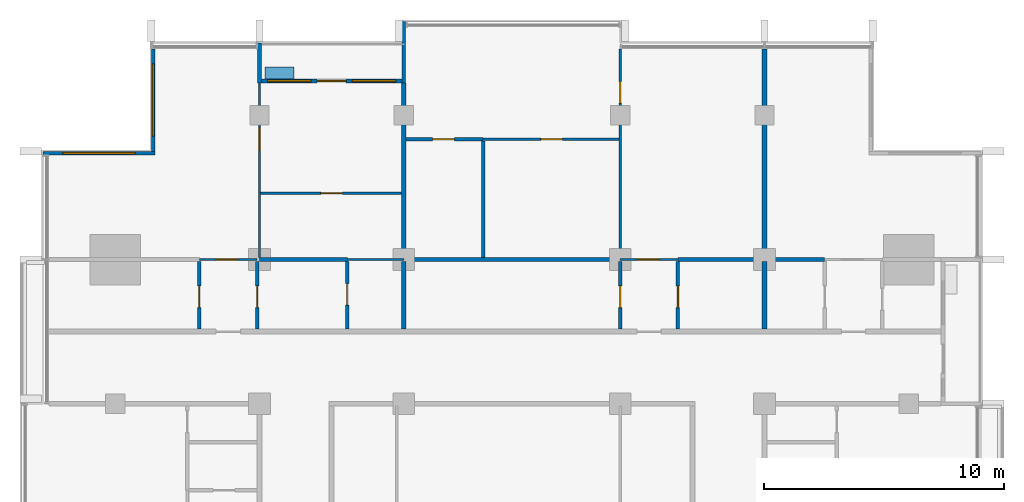
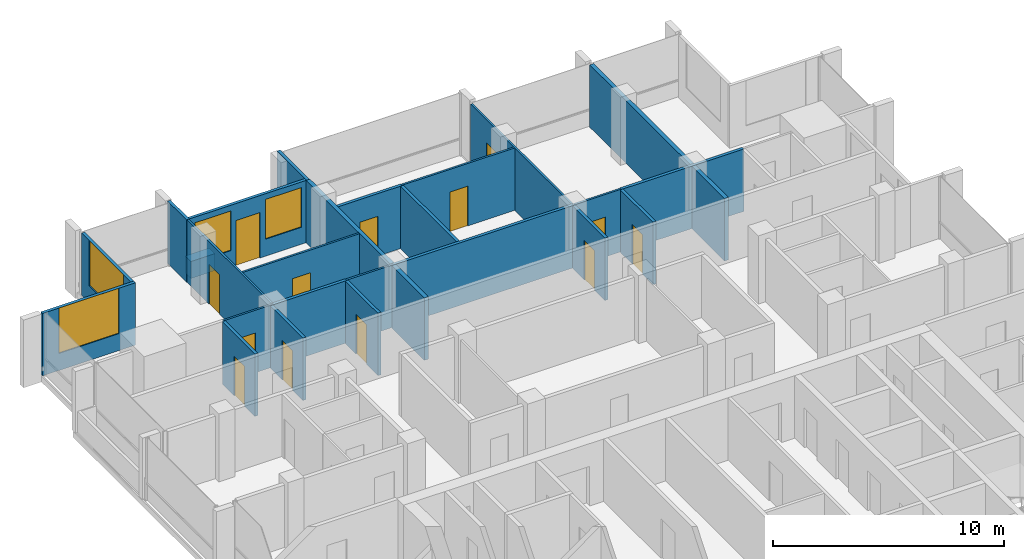
# One storey, part 10 of 16: 27 walls, 13 doors, 4 windows, 17 openings.
"""IFC4 building model written with IfcOpenShell, lengths in metres."""

from ifc_helpers import new_model, si_unit, direction, frame, frame_2d, origin, place, context, subcontext, project, spatial, rectangle, extrude, material, layer, layer_set, type_object, element, fill, save


model = new_model("IFC4")

# Units and contexts
model_context = context("Model", 3, precision=1e-05, world=origin(), true_north=direction((0.0, 1.0)))
body_context = subcontext(model_context, "Body", "Model", "MODEL_VIEW")
ifc_project = project(units=[si_unit("LENGTHUNIT", "METRE"), si_unit("AREAUNIT", "SQUARE_METRE"), si_unit("VOLUMEUNIT", "CUBIC_METRE"), si_unit("PLANEANGLEUNIT", "RADIAN"), si_unit("MASSUNIT", "GRAM", prefix="KILO")], contexts=[model_context])

# Site, building, storey
site_placement = place(None, origin())
site = spatial("IfcSite", under=ifc_project, at=site_placement, CompositionType="ELEMENT")
building_placement = place(site_placement, origin())
building = spatial("IfcBuilding", under=site, at=building_placement, Name="Finial Court Residences", CompositionType="ELEMENT")
storey_placement = place(building_placement, frame((0.0, 0.0, 237.5)))
storey = spatial("IfcBuildingStorey", under=building, at=storey_placement, Name="L60", CompositionType="ELEMENT", Elevation=237.5)

# Walls
ifc_material_1 = material(Name="Gypsum board")
ifc_layer_1 = layer(ifc_material_1, 0.02490234375)
ifc_material_2 = material(Name="Acoustic mineral wool in double frame")
ifc_layer_2 = layer(ifc_material_2, 0.14990234375)
ifc_layer_3 = layer(ifc_material_1, 0.02490234375)
ifc_layer_set_1 = layer_set([ifc_layer_1, ifc_layer_2, ifc_layer_3], Name="Acoustic party wall 200, 1 hour")
wall_type_1 = type_object("IfcWallType", Name="Acoustic party wall 200, 1 hour", PredefinedType="PARTITIONING", material=ifc_layer_set_1)
wall_1_placement = place(storey_placement, frame((-4.5, 4.60009765625, 0.0), z_axis=(0.0, 0.0, 1.0), x_axis=(0.0, 1.0, 0.0)))
element("IfcWall", 1, at=wall_1_placement, inside=storey, type_object=wall_type_1, Name="Partition L60-039", PredefinedType="PARTITIONING", context=body_context, shape_type="SweptSolid", body=[
    extrude(rectangle(XDim=2.824951171875, YDim=0.199951171875, at=frame_2d((1.41259765625, 0.0))), origin(), (0.0, 0.0, 1.0), 3.300048828125),
])
wall_2_placement = place(storey_placement, frame((-4.5, 7.574951171875, 0.0), z_axis=(0.0, 0.0, 1.0), x_axis=(0.0, 1.0, 0.0)))
element("IfcWall", 2, at=wall_2_placement, inside=storey, type_object=wall_type_1, Name="Partition L60-040", PredefinedType="PARTITIONING", context=body_context, shape_type="SweptSolid", body=[
    extrude(rectangle(XDim=7.275146484375, YDim=0.199951171875, at=frame_2d((3.6376953125, 0.0))), origin(), (0.0, 0.0, 1.0), 3.300048828125),
])
wall_3_placement = place(storey_placement, frame((10.5, 4.60009765625, 0.0), z_axis=(0.0, 0.0, 1.0), x_axis=(0.0, 1.0, 0.0)))
element("IfcWall", 3, at=wall_3_placement, inside=storey, type_object=wall_type_1, Name="Partition L60-048", PredefinedType="PARTITIONING", context=body_context, shape_type="SweptSolid", body=[
    extrude(rectangle(XDim=2.824951171875, YDim=0.199951171875, at=frame_2d((1.41259765625, 0.0))), origin(), (0.0, 0.0, 1.0), 3.300048828125),
])
wall_4_placement = place(storey_placement, frame((10.5, 7.574951171875, 0.0), z_axis=(0.0, 0.0, 1.0), x_axis=(0.0, 1.0, 0.0)))
element("IfcWall", 4, at=wall_4_placement, inside=storey, type_object=wall_type_1, Name="Partition L60-049", PredefinedType="PARTITIONING", context=body_context, shape_type="SweptSolid", body=[
    extrude(rectangle(XDim=8.6875, YDim=0.199951171875, at=frame_2d((4.34375, 0.0))), origin(), (0.0, 0.0, 1.0), 3.300048828125),
])

# Wall, opening, door
ifc_layer_4 = layer(ifc_material_1, 0.012451171875)
ifc_material_3 = material(Name="Mineral wool in light-gauge frame")
ifc_layer_5 = layer(ifc_material_3, 0.074951171875)
ifc_layer_6 = layer(ifc_material_1, 0.012451171875)
ifc_layer_set_2 = layer_set([ifc_layer_4, ifc_layer_5, ifc_layer_6], Name="Gypsum board partition 100")
wall_type_2 = type_object("IfcWallType", Name="Gypsum board partition 100", PredefinedType="PARTITIONING", material=ifc_layer_set_2)
wall_5_placement = place(storey_placement, frame((-13.0, 7.5, 0.0), z_axis=(0.0, 0.0, 1.0), x_axis=(1.0, 0.0, 0.0)))
wall_5 = element("IfcWall", 5, at=wall_5_placement, inside=storey, type_object=wall_type_2, Name="Partition L60-017", PredefinedType="PARTITIONING", context=body_context, shape_type="SweptSolid", body=[
    extrude(rectangle(XDim=2.39990234375, YDim=0.10009765625, at=frame_2d((1.199951171875, 0.0))), origin(), (0.0, 0.0, 1.0), 3.300048828125),
])
opening_1_placement = place(wall_5_placement, frame((0.699951171875, 0.0, 0.0)))
opening_1 = element("IfcOpeningElement", 6, at=opening_1_placement, cuts=wall_5, Name="Opening L60-D019", PredefinedType="OPENING", context=body_context, shape_type="SweptSolid", body=[
    extrude(rectangle(XDim=0.89990234375, YDim=2.10009765625, at=frame_2d((0.449951171875, 1.050048828125))), frame((0.0, 0.06005859375, 0.0), z_axis=(0.0, -1.0, 0.0), x_axis=(1.0, 0.0, 0.0)), (0.0, 0.0, 1.0), 0.1201171875),
])
ifc_material_4 = material(Name="Timber door leaf in timber frame", Category="wood")
door_type_1 = type_object("IfcDoorType", Name="Door set 900 x 2100", OperationType="SINGLE_SWING_LEFT", PredefinedType="DOOR", material=ifc_material_4)
door_1_placement = place(opening_1_placement, origin())
door_1 = element("IfcDoor", 7, at=door_1_placement, inside=storey, type_object=door_type_1, Name="Door L60-D019", OperationType="SINGLE_SWING_LEFT", OverallHeight=2.10009765625, OverallWidth=0.89990234375, PredefinedType="DOOR", context=body_context, shape_type="SweptSolid", body=[
    extrude(rectangle(XDim=0.89990234375, YDim=2.10009765625, at=frame_2d((0.449951171875, 1.050048828125))), frame((0.0, 0.02490234375, 0.0), z_axis=(0.0, -1.0, 0.0), x_axis=(1.0, 0.0, 0.0)), (0.0, 0.0, 1.0), 0.050048828125),
])
fill(opening_1, door_1)

# Wall
wall_6_placement = place(storey_placement, frame((-6.85009765625, 7.5, 0.0), z_axis=(0.0, 0.0, 1.0), x_axis=(1.0, 0.0, 0.0)))
element("IfcWall", 8, at=wall_6_placement, inside=storey, type_object=wall_type_2, Name="Partition L60-018", PredefinedType="PARTITIONING", context=body_context, shape_type="SweptSolid", body=[
    extrude(rectangle(XDim=2.35009765625, YDim=0.10009765625, at=frame_2d((1.175048828125, 0.0))), origin(), (0.0, 0.0, 1.0), 3.300048828125),
])

# Wall, opening, door
wall_7_placement = place(storey_placement, frame((4.5, 7.5, 0.0), z_axis=(0.0, 0.0, 1.0), x_axis=(1.0, 0.0, 0.0)))
wall_7 = element("IfcWall", 9, at=wall_7_placement, inside=storey, type_object=wall_type_2, Name="Partition L60-019", PredefinedType="PARTITIONING", context=body_context, shape_type="SweptSolid", body=[
    extrude(rectangle(XDim=2.39990234375, YDim=0.10009765625, at=frame_2d((1.199951171875, 0.0))), origin(), (0.0, 0.0, 1.0), 3.300048828125),
])
opening_2_placement = place(wall_7_placement, frame((0.699951171875, 0.0, 0.0)))
opening_2 = element("IfcOpeningElement", 10, at=opening_2_placement, cuts=wall_7, Name="Opening L60-D020", PredefinedType="OPENING", context=body_context, shape_type="SweptSolid", body=[
    extrude(rectangle(XDim=0.89990234375, YDim=2.10009765625, at=frame_2d((0.449951171875, 1.050048828125))), frame((0.0, 0.06005859375, 0.0), z_axis=(0.0, -1.0, 0.0), x_axis=(1.0, 0.0, 0.0)), (0.0, 0.0, 1.0), 0.1201171875),
])
door_2_placement = place(opening_2_placement, origin())
door_2 = element("IfcDoor", 11, at=door_2_placement, inside=storey, type_object=door_type_1, Name="Door L60-D020", OperationType="SINGLE_SWING_RIGHT", OverallHeight=2.10009765625, OverallWidth=0.89990234375, PredefinedType="DOOR", context=body_context, shape_type="SweptSolid", body=[
    extrude(rectangle(XDim=0.89990234375, YDim=2.10009765625, at=frame_2d((0.449951171875, 1.050048828125))), frame((0.0, 0.02490234375, 0.0), z_axis=(0.0, -1.0, 0.0), x_axis=(1.0, 0.0, 0.0)), (0.0, 0.0, 1.0), 0.050048828125),
])
fill(opening_2, door_2)

wall_8_placement = place(storey_placement, frame((-10.449951171875, 10.25, 0.0), z_axis=(0.0, 0.0, 1.0), x_axis=(1.0, 0.0, 0.0)))
wall_8 = element("IfcWall", 12, at=wall_8_placement, inside=storey, type_object=wall_type_2, Name="Partition L60-026", PredefinedType="PARTITIONING", context=body_context, shape_type="SweptSolid", body=[
    extrude(rectangle(XDim=5.849853515625, YDim=0.10009765625, at=frame_2d((2.9248046875, 0.0))), origin(), (0.0, 0.0, 1.0), 3.300048828125),
])
opening_3_placement = place(wall_8_placement, frame((2.5, 0.0, 0.0)))
opening_3 = element("IfcOpeningElement", 13, at=opening_3_placement, cuts=wall_8, Name="Opening L60-D022", PredefinedType="OPENING", context=body_context, shape_type="SweptSolid", body=[
    extrude(rectangle(XDim=0.89990234375, YDim=2.10009765625, at=frame_2d((0.449951171875, 1.050048828125))), frame((0.0, 0.06005859375, 0.0), z_axis=(0.0, -1.0, 0.0), x_axis=(1.0, 0.0, 0.0)), (0.0, 0.0, 1.0), 0.1201171875),
])
door_3_placement = place(opening_3_placement, origin())
door_3 = element("IfcDoor", 14, at=door_3_placement, inside=storey, type_object=door_type_1, Name="Door L60-D022", OperationType="SINGLE_SWING_LEFT", OverallHeight=2.10009765625, OverallWidth=0.89990234375, PredefinedType="DOOR", context=body_context, shape_type="SweptSolid", body=[
    extrude(rectangle(XDim=0.89990234375, YDim=2.10009765625, at=frame_2d((0.449951171875, 1.050048828125))), frame((0.0, 0.02490234375, 0.0), z_axis=(0.0, -1.0, 0.0), x_axis=(1.0, 0.0, 0.0)), (0.0, 0.0, 1.0), 0.050048828125),
])
fill(opening_3, door_3)

wall_9_placement = place(storey_placement, frame((-1.199951171875, 12.5, 0.0), z_axis=(0.0, 0.0, 1.0), x_axis=(1.0, 0.0, 0.0)))
wall_9 = element("IfcWall", 15, at=wall_9_placement, inside=storey, type_object=wall_type_2, Name="Partition L60-027", PredefinedType="PARTITIONING", context=body_context, shape_type="SweptSolid", body=[
    extrude(rectangle(XDim=5.64990234375, YDim=0.10009765625, at=frame_2d((2.824951171875, 0.0))), origin(), (0.0, 0.0, 1.0), 3.300048828125),
])
opening_4_placement = place(wall_9_placement, frame((2.39990234375, 0.0, 0.0)))
opening_4 = element("IfcOpeningElement", 16, at=opening_4_placement, cuts=wall_9, Name="Opening L60-D023", PredefinedType="OPENING", context=body_context, shape_type="SweptSolid", body=[
    extrude(rectangle(XDim=0.89990234375, YDim=2.10009765625, at=frame_2d((0.449951171875, 1.050048828125))), frame((0.0, 0.06005859375, 0.0), z_axis=(0.0, -1.0, 0.0), x_axis=(1.0, 0.0, 0.0)), (0.0, 0.0, 1.0), 0.1201171875),
])
door_4_placement = place(opening_4_placement, origin())
door_4 = element("IfcDoor", 17, at=door_4_placement, inside=storey, type_object=door_type_1, Name="Door L60-D023", OperationType="SINGLE_SWING_RIGHT", OverallHeight=2.10009765625, OverallWidth=0.89990234375, PredefinedType="DOOR", context=body_context, shape_type="SweptSolid", body=[
    extrude(rectangle(XDim=0.89990234375, YDim=2.10009765625, at=frame_2d((0.449951171875, 1.050048828125))), frame((0.0, 0.02490234375, 0.0), z_axis=(0.0, -1.0, 0.0), x_axis=(1.0, 0.0, 0.0)), (0.0, 0.0, 1.0), 0.050048828125),
])
fill(opening_4, door_4)

wall_10_placement = place(storey_placement, frame((-10.5, 7.574951171875, 0.0), z_axis=(0.0, 0.0, 1.0), x_axis=(0.0, 1.0, 0.0)))
wall_10 = element("IfcWall", 18, at=wall_10_placement, inside=storey, type_object=wall_type_2, Name="Partition L60-035", PredefinedType="PARTITIONING", context=body_context, shape_type="SweptSolid", body=[
    extrude(rectangle(XDim=7.275146484375, YDim=0.10009765625, at=frame_2d((3.6376953125, 0.0))), origin(), (0.0, 0.0, 1.0), 3.300048828125),
])
opening_5_placement = place(wall_10_placement, frame((4.47509765625, 0.0, 0.0)))
opening_5 = element("IfcOpeningElement", 19, at=opening_5_placement, cuts=wall_10, Name="Opening L60-D029", PredefinedType="OPENING", context=body_context, shape_type="SweptSolid", body=[
    extrude(rectangle(XDim=0.89990234375, YDim=2.10009765625, at=frame_2d((0.449951171875, 1.050048828125))), frame((0.0, 0.06005859375, 0.0), z_axis=(0.0, -1.0, 0.0), x_axis=(1.0, 0.0, 0.0)), (0.0, 0.0, 1.0), 0.1201171875),
])
door_5_placement = place(opening_5_placement, origin())
door_5 = element("IfcDoor", 20, at=door_5_placement, inside=storey, type_object=door_type_1, Name="Door L60-D029", OperationType="SINGLE_SWING_RIGHT", OverallHeight=2.10009765625, OverallWidth=0.89990234375, PredefinedType="DOOR", context=body_context, shape_type="SweptSolid", body=[
    extrude(rectangle(XDim=0.89990234375, YDim=2.10009765625, at=frame_2d((0.449951171875, 1.050048828125))), frame((0.0, 0.02490234375, 0.0), z_axis=(0.0, -1.0, 0.0), x_axis=(1.0, 0.0, 0.0)), (0.0, 0.0, 1.0), 0.050048828125),
])
fill(opening_5, door_5)

wall_11_placement = place(storey_placement, frame((4.5, 7.574951171875, 0.0), z_axis=(0.0, 0.0, 1.0), x_axis=(0.0, 1.0, 0.0)))
wall_11 = element("IfcWall", 21, at=wall_11_placement, inside=storey, type_object=wall_type_2, Name="Partition L60-043", PredefinedType="PARTITIONING", context=body_context, shape_type="SweptSolid", body=[
    extrude(rectangle(XDim=8.6875, YDim=0.10009765625, at=frame_2d((4.34375, 0.0))), origin(), (0.0, 0.0, 1.0), 3.300048828125),
])
opening_6_placement = place(wall_11_placement, frame((6.425048828125, 0.0, 0.0)))
opening_6 = element("IfcOpeningElement", 22, at=opening_6_placement, cuts=wall_11, Name="Opening L60-D031", PredefinedType="OPENING", context=body_context, shape_type="SweptSolid", body=[
    extrude(rectangle(XDim=0.89990234375, YDim=2.10009765625, at=frame_2d((0.449951171875, 1.050048828125))), frame((0.0, 0.06005859375, 0.0), z_axis=(0.0, -1.0, 0.0), x_axis=(1.0, 0.0, 0.0)), (0.0, 0.0, 1.0), 0.1201171875),
])
door_6_placement = place(opening_6_placement, origin())
door_6 = element("IfcDoor", 23, at=door_6_placement, inside=storey, type_object=door_type_1, Name="Door L60-D031", OperationType="SINGLE_SWING_LEFT", OverallHeight=2.10009765625, OverallWidth=0.89990234375, PredefinedType="DOOR", context=body_context, shape_type="SweptSolid", body=[
    extrude(rectangle(XDim=0.89990234375, YDim=2.10009765625, at=frame_2d((0.449951171875, 1.050048828125))), frame((0.0, 0.02490234375, 0.0), z_axis=(0.0, -1.0, 0.0), x_axis=(1.0, 0.0, 0.0)), (0.0, 0.0, 1.0), 0.050048828125),
])
fill(opening_6, door_6)

# Walls
ifc_material_5 = material(Name="Moisture-resistant gypsum board")
ifc_layer_7 = layer(ifc_material_5, 0.012451171875)
ifc_layer_8 = layer(ifc_material_3, 0.125)
ifc_layer_9 = layer(ifc_material_5, 0.012451171875)
ifc_layer_set_3 = layer_set([ifc_layer_7, ifc_layer_8, ifc_layer_9], Name="Gypsum board wet-area partition 150")
wall_type_3 = type_object("IfcWallType", Name="Gypsum board wet-area partition 150", PredefinedType="PARTITIONING", material=ifc_layer_set_3)
wall_12_placement = place(storey_placement, frame((-10.5, 7.5, 0.0), z_axis=(0.0, 0.0, 1.0), x_axis=(1.0, 0.0, 0.0)))
element("IfcWall", 24, at=wall_12_placement, inside=storey, type_object=wall_type_3, Name="Partition L60-022", PredefinedType="PARTITIONING", context=body_context, shape_type="SweptSolid", body=[
    extrude(rectangle(XDim=3.64990234375, YDim=0.14990234375, at=frame_2d((1.824951171875, 0.0))), origin(), (0.0, 0.0, 1.0), 3.300048828125),
])
wall_13_placement = place(storey_placement, frame((-4.5, 7.5, 0.0), z_axis=(0.0, 0.0, 1.0), x_axis=(1.0, 0.0, 0.0)))
element("IfcWall", 25, at=wall_13_placement, inside=storey, type_object=wall_type_3, Name="Partition L60-023", PredefinedType="PARTITIONING", context=body_context, shape_type="SweptSolid", body=[
    extrude(rectangle(XDim=9.0, YDim=0.14990234375, at=frame_2d((4.5, 0.0))), origin(), (0.0, 0.0, 1.0), 3.300048828125),
])
wall_14_placement = place(storey_placement, frame((6.89990234375, 7.5, 0.0), z_axis=(0.0, 0.0, 1.0), x_axis=(1.0, 0.0, 0.0)))
element("IfcWall", 26, at=wall_14_placement, inside=storey, type_object=wall_type_3, Name="Partition L60-024", PredefinedType="PARTITIONING", context=body_context, shape_type="SweptSolid", body=[
    extrude(rectangle(XDim=6.10009765625, YDim=0.14990234375, at=frame_2d((3.050048828125, 0.0))), origin(), (0.0, 0.0, 1.0), 3.300048828125),
])

# Wall, opening, door
wall_15_placement = place(storey_placement, frame((-4.39990234375, 12.5, 0.0), z_axis=(0.0, 0.0, 1.0), x_axis=(1.0, 0.0, 0.0)))
wall_15 = element("IfcWall", 27, at=wall_15_placement, inside=storey, type_object=wall_type_3, Name="Partition L60-028", PredefinedType="PARTITIONING", context=body_context, shape_type="SweptSolid", body=[
    extrude(rectangle(XDim=3.199951171875, YDim=0.14990234375, at=frame_2d((1.60009765625, 0.0))), origin(), (0.0, 0.0, 1.0), 3.300048828125),
])
opening_7_placement = place(wall_15_placement, frame((1.10009765625, 0.0, 0.0)))
opening_7 = element("IfcOpeningElement", 28, at=opening_7_placement, cuts=wall_15, Name="Opening L60-D024", PredefinedType="OPENING", context=body_context, shape_type="SweptSolid", body=[
    extrude(rectangle(XDim=0.89990234375, YDim=2.10009765625, at=frame_2d((0.449951171875, 1.050048828125))), frame((0.0, 0.0849609375, 0.0), z_axis=(0.0, -1.0, 0.0), x_axis=(1.0, 0.0, 0.0)), (0.0, 0.0, 1.0), 0.169921875),
])
door_7_placement = place(opening_7_placement, origin())
door_7 = element("IfcDoor", 29, at=door_7_placement, inside=storey, type_object=door_type_1, Name="Door L60-D024", OperationType="SINGLE_SWING_LEFT", OverallHeight=2.10009765625, OverallWidth=0.89990234375, PredefinedType="DOOR", context=body_context, shape_type="SweptSolid", body=[
    extrude(rectangle(XDim=0.89990234375, YDim=2.10009765625, at=frame_2d((0.449951171875, 1.050048828125))), frame((0.0, 0.02490234375, 0.0), z_axis=(0.0, -1.0, 0.0), x_axis=(1.0, 0.0, 0.0)), (0.0, 0.0, 1.0), 0.050048828125),
])
fill(opening_7, door_7)

wall_16_placement = place(storey_placement, frame((-13.0, 4.60009765625, 0.0), z_axis=(0.0, 0.0, 1.0), x_axis=(0.0, 1.0, 0.0)))
wall_16 = element("IfcWall", 30, at=wall_16_placement, inside=storey, type_object=wall_type_3, Name="Partition L60-032", PredefinedType="PARTITIONING", context=body_context, shape_type="SweptSolid", body=[
    extrude(rectangle(XDim=2.824951171875, YDim=0.14990234375, at=frame_2d((1.41259765625, 0.0))), origin(), (0.0, 0.0, 1.0), 3.300048828125),
])
opening_8_placement = place(wall_16_placement, frame((0.89990234375, 0.0, 0.0)))
opening_8 = element("IfcOpeningElement", 31, at=opening_8_placement, cuts=wall_16, Name="Opening L60-D027", PredefinedType="OPENING", context=body_context, shape_type="SweptSolid", body=[
    extrude(rectangle(XDim=0.89990234375, YDim=2.10009765625, at=frame_2d((0.449951171875, 1.050048828125))), frame((0.0, 0.0849609375, 0.0), z_axis=(0.0, -1.0, 0.0), x_axis=(1.0, 0.0, 0.0)), (0.0, 0.0, 1.0), 0.169921875),
])
door_8_placement = place(opening_8_placement, origin())
door_8 = element("IfcDoor", 32, at=door_8_placement, inside=storey, type_object=door_type_1, Name="Door L60-D027", OperationType="SINGLE_SWING_LEFT", OverallHeight=2.10009765625, OverallWidth=0.89990234375, PredefinedType="DOOR", context=body_context, shape_type="SweptSolid", body=[
    extrude(rectangle(XDim=0.89990234375, YDim=2.10009765625, at=frame_2d((0.449951171875, 1.050048828125))), frame((0.0, 0.02490234375, 0.0), z_axis=(0.0, -1.0, 0.0), x_axis=(1.0, 0.0, 0.0)), (0.0, 0.0, 1.0), 0.050048828125),
])
fill(opening_8, door_8)

wall_17_placement = place(storey_placement, frame((-10.60009765625, 4.60009765625, 0.0), z_axis=(0.0, 0.0, 1.0), x_axis=(0.0, 1.0, 0.0)))
wall_17 = element("IfcWall", 33, at=wall_17_placement, inside=storey, type_object=wall_type_3, Name="Partition L60-033", PredefinedType="PARTITIONING", context=body_context, shape_type="SweptSolid", body=[
    extrude(rectangle(XDim=2.824951171875, YDim=0.14990234375, at=frame_2d((1.41259765625, 0.0))), origin(), (0.0, 0.0, 1.0), 3.300048828125),
])
opening_9_placement = place(wall_17_placement, frame((0.89990234375, 0.0, 0.0)))
opening_9 = element("IfcOpeningElement", 34, at=opening_9_placement, cuts=wall_17, Name="Opening L60-D028", PredefinedType="OPENING", context=body_context, shape_type="SweptSolid", body=[
    extrude(rectangle(XDim=0.89990234375, YDim=2.10009765625, at=frame_2d((0.449951171875, 1.050048828125))), frame((0.0, 0.0849609375, 0.0), z_axis=(0.0, -1.0, 0.0), x_axis=(1.0, 0.0, 0.0)), (0.0, 0.0, 1.0), 0.169921875),
])
door_9_placement = place(opening_9_placement, origin())
door_9 = element("IfcDoor", 35, at=door_9_placement, inside=storey, type_object=door_type_1, Name="Door L60-D028", OperationType="SINGLE_SWING_LEFT", OverallHeight=2.10009765625, OverallWidth=0.89990234375, PredefinedType="DOOR", context=body_context, shape_type="SweptSolid", body=[
    extrude(rectangle(XDim=0.89990234375, YDim=2.10009765625, at=frame_2d((0.449951171875, 1.050048828125))), frame((0.0, 0.02490234375, 0.0), z_axis=(0.0, -1.0, 0.0), x_axis=(1.0, 0.0, 0.0)), (0.0, 0.0, 1.0), 0.050048828125),
])
fill(opening_9, door_9)

wall_18_placement = place(storey_placement, frame((-6.85009765625, 4.60009765625, 0.0), z_axis=(0.0, 0.0, 1.0), x_axis=(0.0, 1.0, 0.0)))
wall_18 = element("IfcWall", 36, at=wall_18_placement, inside=storey, type_object=wall_type_3, Name="Partition L60-037", PredefinedType="PARTITIONING", context=body_context, shape_type="SweptSolid", body=[
    extrude(rectangle(XDim=2.824951171875, YDim=0.14990234375, at=frame_2d((1.41259765625, 0.0))), origin(), (0.0, 0.0, 1.0), 3.300048828125),
])
opening_10_placement = place(wall_18_placement, frame((1.0, 0.0, 0.0)))
opening_10 = element("IfcOpeningElement", 37, at=opening_10_placement, cuts=wall_18, Name="Opening L60-D030", PredefinedType="OPENING", context=body_context, shape_type="SweptSolid", body=[
    extrude(rectangle(XDim=0.89990234375, YDim=2.10009765625, at=frame_2d((0.449951171875, 1.050048828125))), frame((0.0, 0.0849609375, 0.0), z_axis=(0.0, -1.0, 0.0), x_axis=(1.0, 0.0, 0.0)), (0.0, 0.0, 1.0), 0.169921875),
])
door_10_placement = place(opening_10_placement, origin())
door_10 = element("IfcDoor", 38, at=door_10_placement, inside=storey, type_object=door_type_1, Name="Door L60-D030", OperationType="SINGLE_SWING_LEFT", OverallHeight=2.10009765625, OverallWidth=0.89990234375, PredefinedType="DOOR", context=body_context, shape_type="SweptSolid", body=[
    extrude(rectangle(XDim=0.89990234375, YDim=2.10009765625, at=frame_2d((0.449951171875, 1.050048828125))), frame((0.0, 0.02490234375, 0.0), z_axis=(0.0, -1.0, 0.0), x_axis=(1.0, 0.0, 0.0)), (0.0, 0.0, 1.0), 0.050048828125),
])
fill(opening_10, door_10)

# Wall
wall_19_placement = place(storey_placement, frame((-1.199951171875, 7.574951171875, 0.0), z_axis=(0.0, 0.0, 1.0), x_axis=(0.0, 1.0, 0.0)))
element("IfcWall", 39, at=wall_19_placement, inside=storey, type_object=wall_type_3, Name="Partition L60-041", PredefinedType="PARTITIONING", context=body_context, shape_type="SweptSolid", body=[
    extrude(rectangle(XDim=4.85009765625, YDim=0.14990234375, at=frame_2d((2.425048828125, 0.0))), origin(), (0.0, 0.0, 1.0), 3.300048828125),
])

# Wall, opening, door
wall_20_placement = place(storey_placement, frame((4.5, 4.60009765625, 0.0), z_axis=(0.0, 0.0, 1.0), x_axis=(0.0, 1.0, 0.0)))
wall_20 = element("IfcWall", 40, at=wall_20_placement, inside=storey, type_object=wall_type_3, Name="Partition L60-044", PredefinedType="PARTITIONING", context=body_context, shape_type="SweptSolid", body=[
    extrude(rectangle(XDim=2.824951171875, YDim=0.14990234375, at=frame_2d((1.41259765625, 0.0))), origin(), (0.0, 0.0, 1.0), 3.300048828125),
])
opening_11_placement = place(wall_20_placement, frame((0.89990234375, 0.0, 0.0)))
opening_11 = element("IfcOpeningElement", 41, at=opening_11_placement, cuts=wall_20, Name="Opening L60-D032", PredefinedType="OPENING", context=body_context, shape_type="SweptSolid", body=[
    extrude(rectangle(XDim=0.89990234375, YDim=2.10009765625, at=frame_2d((0.449951171875, 1.050048828125))), frame((0.0, 0.0849609375, 0.0), z_axis=(0.0, -1.0, 0.0), x_axis=(1.0, 0.0, 0.0)), (0.0, 0.0, 1.0), 0.169921875),
])
door_11_placement = place(opening_11_placement, origin())
door_11 = element("IfcDoor", 42, at=door_11_placement, inside=storey, type_object=door_type_1, Name="Door L60-D032", OperationType="SINGLE_SWING_RIGHT", OverallHeight=2.10009765625, OverallWidth=0.89990234375, PredefinedType="DOOR", context=body_context, shape_type="SweptSolid", body=[
    extrude(rectangle(XDim=0.89990234375, YDim=2.10009765625, at=frame_2d((0.449951171875, 1.050048828125))), frame((0.0, 0.02490234375, 0.0), z_axis=(0.0, -1.0, 0.0), x_axis=(1.0, 0.0, 0.0)), (0.0, 0.0, 1.0), 0.050048828125),
])
fill(opening_11, door_11)

wall_21_placement = place(storey_placement, frame((6.89990234375, 4.60009765625, 0.0), z_axis=(0.0, 0.0, 1.0), x_axis=(0.0, 1.0, 0.0)))
wall_21 = element("IfcWall", 43, at=wall_21_placement, inside=storey, type_object=wall_type_3, Name="Partition L60-045", PredefinedType="PARTITIONING", context=body_context, shape_type="SweptSolid", body=[
    extrude(rectangle(XDim=2.824951171875, YDim=0.14990234375, at=frame_2d((1.41259765625, 0.0))), origin(), (0.0, 0.0, 1.0), 3.300048828125),
])
opening_12_placement = place(wall_21_placement, frame((0.89990234375, 0.0, 0.0)))
opening_12 = element("IfcOpeningElement", 44, at=opening_12_placement, cuts=wall_21, Name="Opening L60-D033", PredefinedType="OPENING", context=body_context, shape_type="SweptSolid", body=[
    extrude(rectangle(XDim=0.89990234375, YDim=2.10009765625, at=frame_2d((0.449951171875, 1.050048828125))), frame((0.0, 0.0849609375, 0.0), z_axis=(0.0, -1.0, 0.0), x_axis=(1.0, 0.0, 0.0)), (0.0, 0.0, 1.0), 0.169921875),
])
door_12_placement = place(opening_12_placement, origin())
door_12 = element("IfcDoor", 45, at=door_12_placement, inside=storey, type_object=door_type_1, Name="Door L60-D033", OperationType="SINGLE_SWING_RIGHT", OverallHeight=2.10009765625, OverallWidth=0.89990234375, PredefinedType="DOOR", context=body_context, shape_type="SweptSolid", body=[
    extrude(rectangle(XDim=0.89990234375, YDim=2.10009765625, at=frame_2d((0.449951171875, 1.050048828125))), frame((0.0, 0.02490234375, 0.0), z_axis=(0.0, -1.0, 0.0), x_axis=(1.0, 0.0, 0.0)), (0.0, 0.0, 1.0), 0.050048828125),
])
fill(opening_12, door_12)

# Wall, opening, window
ifc_material_6 = material(Name="Natural limestone", Category="masonry")
ifc_layer_10 = layer(ifc_material_6, 0.14990234375)
ifc_layer_set_4 = layer_set([ifc_layer_10], Name="Limestone clad wall 150")
wall_type_4 = type_object("IfcWallType", Name="Limestone clad wall 150", PredefinedType="SOLIDWALL", material=ifc_layer_set_4)
wall_22_placement = place(storey_placement, frame((-14.925048828125, 12.0, 0.0), z_axis=(0.0, 0.0, 1.0), x_axis=(0.0, 1.0, 0.0)))
wall_22 = element("IfcWall", 46, at=wall_22_placement, inside=storey, type_object=wall_type_4, Name="E-L60-NWW17", PredefinedType="SOLIDWALL", context=body_context, shape_type="SweptSolid", body=[
    extrude(rectangle(XDim=4.262451171875, YDim=0.14990234375, at=frame_2d((2.13134765625, 0.0))), origin(), (0.0, 0.0, 1.0), 3.300048828125),
])
opening_13_placement = place(wall_22_placement, frame((0.631103515625, 0.0, 0.89990234375)))
opening_13 = element("IfcOpeningElement", 47, at=opening_13_placement, cuts=wall_22, Name="Opening WE60-05", PredefinedType="OPENING", context=body_context, shape_type="SweptSolid", body=[
    extrude(rectangle(XDim=3.0, YDim=2.39990234375, at=frame_2d((1.5, 1.199951171875))), frame((0.0, 0.0849609375, 0.0), z_axis=(0.0, -1.0, 0.0), x_axis=(1.0, 0.0, 0.0)), (0.0, 0.0, 1.0), 0.169921875),
])
ifc_material_7 = material(Name="Clear low-e glass", Category="glass")
window_type_1 = type_object("IfcWindowType", Name="Corner window 3000 x 2400", PartitioningType="SINGLE_PANEL", PredefinedType="WINDOW", material=ifc_material_7)
window_1_placement = place(opening_13_placement, origin())
window_1 = element("IfcWindow", 48, at=window_1_placement, inside=storey, type_object=window_type_1, Name="E-L60-NWW17-W1", OverallHeight=2.39990234375, OverallWidth=3.0, PartitioningType="SINGLE_PANEL", PredefinedType="WINDOW", context=body_context, shape_type="SweptSolid", body=[
    extrude(rectangle(XDim=3.0, YDim=2.39990234375, at=frame_2d((1.5, 1.199951171875))), frame((0.0, 0.030029296875, 0.0), z_axis=(0.0, -1.0, 0.0), x_axis=(1.0, 0.0, 0.0)), (0.0, 0.0, 1.0), 0.06005859375),
])
fill(opening_13, window_1)

wall_23_placement = place(storey_placement, frame((-19.5, 11.925048828125, 0.0), z_axis=(0.0, 0.0, 1.0), x_axis=(1.0, 0.0, 0.0)))
wall_23 = element("IfcWall", 49, at=wall_23_placement, inside=storey, type_object=wall_type_4, Name="E-L60-NWN18", PredefinedType="SOLIDWALL", context=body_context, shape_type="SweptSolid", body=[
    extrude(rectangle(XDim=4.64990234375, YDim=0.14990234375, at=frame_2d((2.324951171875, 0.0))), origin(), (0.0, 0.0, 1.0), 3.300048828125),
])
opening_14_placement = place(wall_23_placement, frame((0.824951171875, 0.0, 0.89990234375)))
opening_14 = element("IfcOpeningElement", 50, at=opening_14_placement, cuts=wall_23, Name="Opening WE60-06", PredefinedType="OPENING", context=body_context, shape_type="SweptSolid", body=[
    extrude(rectangle(XDim=3.0, YDim=2.39990234375, at=frame_2d((1.5, 1.199951171875))), frame((0.0, 0.0849609375, 0.0), z_axis=(0.0, -1.0, 0.0), x_axis=(1.0, 0.0, 0.0)), (0.0, 0.0, 1.0), 0.169921875),
])
window_2_placement = place(opening_14_placement, origin())
window_2 = element("IfcWindow", 51, at=window_2_placement, inside=storey, type_object=window_type_1, Name="E-L60-NWN18-W1", OverallHeight=2.39990234375, OverallWidth=3.0, PartitioningType="SINGLE_PANEL", PredefinedType="WINDOW", context=body_context, shape_type="SweptSolid", body=[
    extrude(rectangle(XDim=3.0, YDim=2.39990234375, at=frame_2d((1.5, 1.199951171875))), frame((0.0, 0.030029296875, 0.0), z_axis=(0.0, -1.0, 0.0), x_axis=(1.0, 0.0, 0.0)), (0.0, 0.0, 1.0), 0.06005859375),
])
fill(opening_14, window_2)

# Walls
wall_24_placement = place(storey_placement, frame((-10.5, 14.85009765625, 0.0), z_axis=(0.0, 0.0, 1.0), x_axis=(0.0, 1.0, 0.0)))
element("IfcWall", 52, at=wall_24_placement, inside=storey, type_object=wall_type_4, Name="E-L60-BALN2-P1", PredefinedType="SOLIDWALL", context=body_context, shape_type="SweptSolid", body=[
    extrude(rectangle(XDim=1.64990234375, YDim=0.14990234375, at=frame_2d((0.824951171875, 0.0))), origin(), (0.0, 0.0, 1.0), 3.300048828125),
])
wall_25_placement = place(storey_placement, frame((-4.5, 14.85009765625, 0.0), z_axis=(0.0, 0.0, 1.0), x_axis=(0.0, 1.0, 0.0)))
element("IfcWall", 53, at=wall_25_placement, inside=storey, type_object=wall_type_4, Name="E-L60-BALN2-P2", PredefinedType="SOLIDWALL", context=body_context, shape_type="SweptSolid", body=[
    extrude(rectangle(XDim=2.5498046875, YDim=0.14990234375, at=frame_2d((1.27490234375, 0.0))), origin(), (0.0, 0.0, 1.0), 3.300048828125),
])

# Wall, openings, door, windows
wall_26_placement = place(storey_placement, frame((-10.425048828125, 14.925048828125, 0.0), z_axis=(0.0, 0.0, 1.0), x_axis=(1.0, 0.0, 0.0)))
wall_26 = element("IfcWall", 54, at=wall_26_placement, inside=storey, type_object=wall_type_4, Name="E-L60-L60-BALN2-W", PredefinedType="SOLIDWALL", context=body_context, shape_type="SweptSolid", body=[
    extrude(rectangle(XDim=5.85009765625, YDim=0.14990234375, at=frame_2d((2.925048828125, 0.0))), origin(), (0.0, 0.0, 1.0), 3.300048828125),
])
opening_15_placement = place(wall_26_placement, frame((2.324951171875, 0.0, 0.0)))
opening_15 = element("IfcOpeningElement", 55, at=opening_15_placement, cuts=wall_26, Name="Opening DE60-01", PredefinedType="OPENING", context=body_context, shape_type="SweptSolid", body=[
    extrude(rectangle(XDim=1.199951171875, YDim=2.39990234375, at=frame_2d((0.60009765625, 1.199951171875))), frame((0.0, 0.0849609375, 0.0), z_axis=(0.0, -1.0, 0.0), x_axis=(1.0, 0.0, 0.0)), (0.0, 0.0, 1.0), 0.169921875),
])
opening_16_placement = place(wall_26_placement, frame((0.262451171875, 0.0, 0.89990234375)))
opening_16 = element("IfcOpeningElement", 56, at=opening_16_placement, cuts=wall_26, Name="Opening WE60-09", PredefinedType="OPENING", context=body_context, shape_type="SweptSolid", body=[
    extrude(rectangle(XDim=1.800048828125, YDim=2.10009765625, at=frame_2d((0.89990234375, 1.050048828125))), frame((0.0, 0.0849609375, 0.0), z_axis=(0.0, -1.0, 0.0), x_axis=(1.0, 0.0, 0.0)), (0.0, 0.0, 1.0), 0.169921875),
])
opening_17_placement = place(wall_26_placement, frame((3.78759765625, 0.0, 0.89990234375)))
opening_17 = element("IfcOpeningElement", 57, at=opening_17_placement, cuts=wall_26, Name="Opening WE60-10", PredefinedType="OPENING", context=body_context, shape_type="SweptSolid", body=[
    extrude(rectangle(XDim=1.800048828125, YDim=2.10009765625, at=frame_2d((0.89990234375, 1.050048828125))), frame((0.0, 0.0849609375, 0.0), z_axis=(0.0, -1.0, 0.0), x_axis=(1.0, 0.0, 0.0)), (0.0, 0.0, 1.0), 0.169921875),
])
ifc_material_8 = material(Name="Bronze anodised aluminium", Category="aluminium")
door_type_2 = type_object("IfcDoorType", Name="Balcony door 1200 x 2400", OperationType="SINGLE_SWING_LEFT", PredefinedType="DOOR", material=ifc_material_8)
door_13_placement = place(opening_15_placement, origin())
door_13 = element("IfcDoor", 58, at=door_13_placement, inside=storey, type_object=door_type_2, Name="E-L60-L60-BALN2-W-D", OperationType="SINGLE_SWING_RIGHT", OverallHeight=2.39990234375, OverallWidth=1.199951171875, PredefinedType="DOOR", context=body_context, shape_type="SweptSolid", body=[
    extrude(rectangle(XDim=1.199951171875, YDim=2.39990234375, at=frame_2d((0.60009765625, 1.199951171875))), frame((0.0, 0.02490234375, 0.0), z_axis=(0.0, -1.0, 0.0), x_axis=(1.0, 0.0, 0.0)), (0.0, 0.0, 1.0), 0.050048828125),
])
fill(opening_15, door_13)
window_type_2 = type_object("IfcWindowType", Name="Balcony window 1800 x 2100", PartitioningType="SINGLE_PANEL", PredefinedType="WINDOW", material=ifc_material_7)
window_3_placement = place(opening_16_placement, origin())
window_3 = element("IfcWindow", 59, at=window_3_placement, inside=storey, type_object=window_type_2, Name="E-L60-L60-BALN2-W-W1", OverallHeight=2.10009765625, OverallWidth=1.800048828125, PartitioningType="SINGLE_PANEL", PredefinedType="WINDOW", context=body_context, shape_type="SweptSolid", body=[
    extrude(rectangle(XDim=1.800048828125, YDim=2.10009765625, at=frame_2d((0.89990234375, 1.050048828125))), frame((0.0, 0.030029296875, 0.0), z_axis=(0.0, -1.0, 0.0), x_axis=(1.0, 0.0, 0.0)), (0.0, 0.0, 1.0), 0.06005859375),
])
fill(opening_16, window_3)
window_4_placement = place(opening_17_placement, origin())
window_4 = element("IfcWindow", 60, at=window_4_placement, inside=storey, type_object=window_type_2, Name="E-L60-L60-BALN2-W-W2", OverallHeight=2.10009765625, OverallWidth=1.800048828125, PartitioningType="SINGLE_PANEL", PredefinedType="WINDOW", context=body_context, shape_type="SweptSolid", body=[
    extrude(rectangle(XDim=1.800048828125, YDim=2.10009765625, at=frame_2d((0.89990234375, 1.050048828125))), frame((0.0, 0.030029296875, 0.0), z_axis=(0.0, -1.0, 0.0), x_axis=(1.0, 0.0, 0.0)), (0.0, 0.0, 1.0), 0.06005859375),
])
fill(opening_17, window_4)

# Wall
ifc_material_9 = material(Name="Concrete C40/50", Category="concrete")
ifc_layer_11 = layer(ifc_material_9, 0.10009765625)
ifc_material_10 = material(Name="Planting soil", Category="soil")
ifc_layer_12 = layer(ifc_material_10, 0.300048828125)
ifc_layer_13 = layer(ifc_material_9, 0.10009765625)
ifc_layer_set_5 = layer_set([ifc_layer_11, ifc_layer_12, ifc_layer_13], Name="Planter wall, balcony")
wall_type_5 = type_object("IfcWallType", Name="Planter wall, balcony", PredefinedType="USERDEFINED", material=ifc_layer_set_5)
wall_27_placement = place(storey_placement, frame((-10.27490234375, 15.25, 0.0), z_axis=(0.0, 0.0, 1.0), x_axis=(1.0, 0.0, 0.0)))
element("IfcWall", 61, at=wall_27_placement, inside=storey, type_object=wall_type_5, Name="E-L60-BALN2-PL", ObjectType="PLANTER", PredefinedType="USERDEFINED", context=body_context, shape_type="SweptSolid", body=[
    extrude(rectangle(XDim=1.199951171875, YDim=0.5, at=frame_2d((0.60009765625, 0.0))), origin(), (0.0, 0.0, 1.0), 0.89990234375),
])

save(model, "model.ifc")
